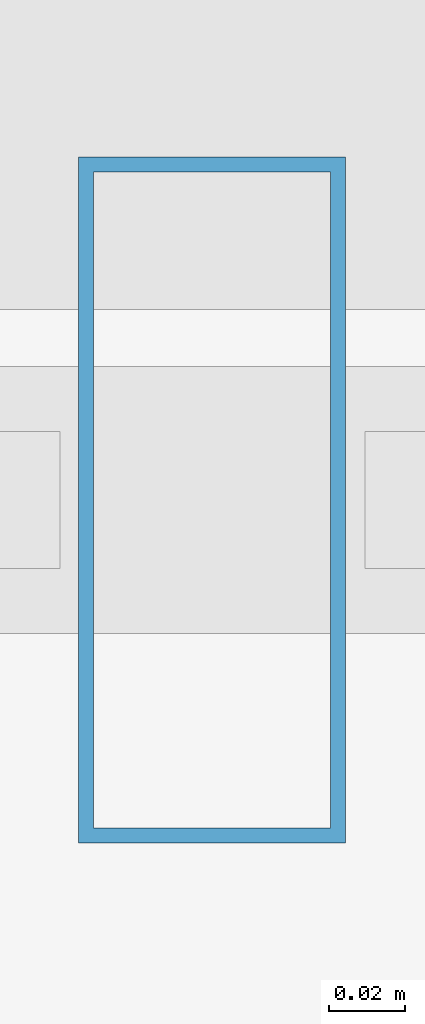
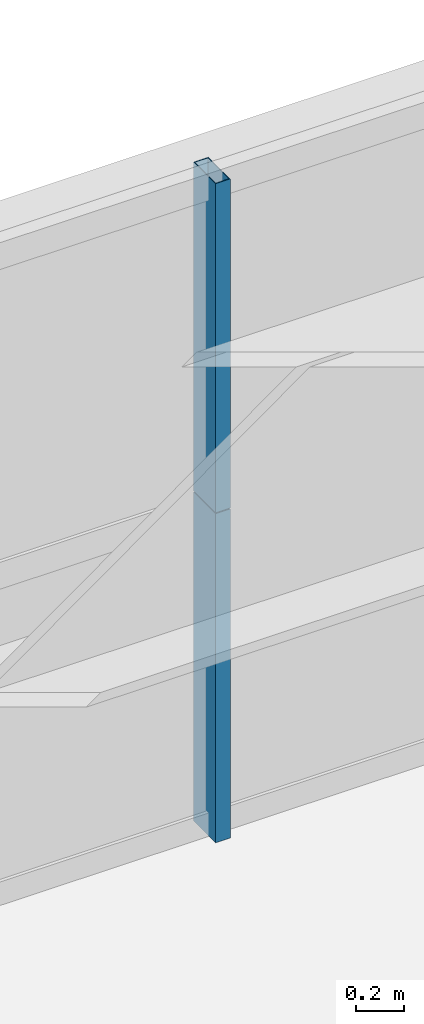
# One storey, part 28 of 44: 2 members, 1 element without a shape of its own.
"""IFC4 building model written with IfcOpenShell, lengths in metres."""

from ifc_helpers import new_model, si_unit, direction, frame, origin, origin_2d, place, context, subcontext, project, spatial, hollow_rectangle, extrude, source, transform, mapped, material, layer, layer_set, material_profile, profile_set, type_object, element, aggregate, save


model = new_model("IFC4")

# Units and contexts
model_context = context("Model", 3, precision=1e-05, world=origin(), true_north=direction((0.0, 1.0)))
body_context = subcontext(model_context, "Body", "Model", "MODEL_VIEW")
ifc_project = project(units=[si_unit("LENGTHUNIT", "METRE"), si_unit("AREAUNIT", "SQUARE_METRE"), si_unit("VOLUMEUNIT", "CUBIC_METRE"), si_unit("PLANEANGLEUNIT", "RADIAN"), si_unit("MASSUNIT", "GRAM", prefix="KILO"), si_unit("THERMODYNAMICTEMPERATUREUNIT", "KELVIN"), si_unit("POWERUNIT", "WATT")], contexts=[model_context])

# Site, building, storey
site_placement = place(None, origin())
site = spatial("IfcSite", under=ifc_project, at=site_placement, CompositionType="ELEMENT")
building_placement = place(site_placement, origin())
building = spatial("IfcBuilding", under=site, at=building_placement, Name="Yuzanri Waterfront Tower", CompositionType="ELEMENT")
storey_placement = place(building_placement, frame((0.0, 0.0, 82.0)))
storey = spatial("IfcBuildingStorey", under=building, at=storey_placement, Name="L21", CompositionType="ELEMENT", Elevation=82.0)

# Curtain wall, members
ifc_material_1 = material(Name="Anodized Architectural Bronze", Category="metal")
ifc_layer = layer(ifc_material_1, 0.159912109375)
ifc_layer_set = layer_set([ifc_layer], Name="Anodized Architectural Bronze")
curtain_wall_type = type_object("IfcCurtainWallType", Name="Anodized Bronze Hotel Lower-Tier Recessed Unitized Curtain Wall 8100", PredefinedType="NOTDEFINED", material=ifc_layer_set)
curtain_wall_placement = place(storey_placement, origin())
curtain_wall = element("IfcCurtainWall", 1, at=curtain_wall_placement, inside=storey, type_object=curtain_wall_type, Name="L21 Curtain Wall CW-L21-NL", PredefinedType="NOTDEFINED")
ifc_material_2 = material(Name="Anodized Architectural Bronze", Category="metal")
ifc_material_profile = material_profile(ifc_material_2, hollow_rectangle(XDim=0.070068359375, YDim=0.179931640625, WallThickness=0.00390625, at=origin_2d()), Name="CWM 70x180")
ifc_profile_set = profile_set([ifc_material_profile], Name="Anodized Architectural Bronze")
member_type = type_object("IfcMemberType", Name="Anodized Bronze Standard Curtain-Wall Mullion 70x180", PredefinedType="MULLION", material=ifc_profile_set)
shared_shape = source(origin(), body_context, "Body", "SweptSolid", [
    extrude(hollow_rectangle(XDim=0.070068359375, YDim=0.179931640625, WallThickness=0.00390625, at=origin_2d()), origin(), (0.0, 0.0, 1.0), 1.657958984375),
])
member_1_placement = place(storey_placement, frame((27.89990234375, 50.75, 0.0), z_axis=(0.0, 0.0, 1.0), x_axis=(1.0, 0.0, 0.0)))
member_1 = element("IfcMember", 2, at=member_1_placement, type_object=member_type, Name="CW-L21-NL Lower Mullion 01", PredefinedType="MULLION", context=body_context, shape_type="MappedRepresentation", body=[
    mapped(shared_shape, transform((0.0, 0.0, 0.0), scale=1.0)),
])
member_2_placement = place(storey_placement, frame((27.89990234375, 50.75, 1.662109375), z_axis=(0.0, 0.0, 1.0), x_axis=(1.0, 0.0, 0.0)))
member_2 = element("IfcMember", 3, at=member_2_placement, type_object=member_type, Name="CW-L21-NL Upper Mullion 01", PredefinedType="MULLION", context=body_context, shape_type="MappedRepresentation", body=[
    mapped(shared_shape, transform((0.0, 0.0, 0.0), scale=1.0)),
])
aggregate(curtain_wall, [member_1, member_2])

save(model, "model.ifc")
